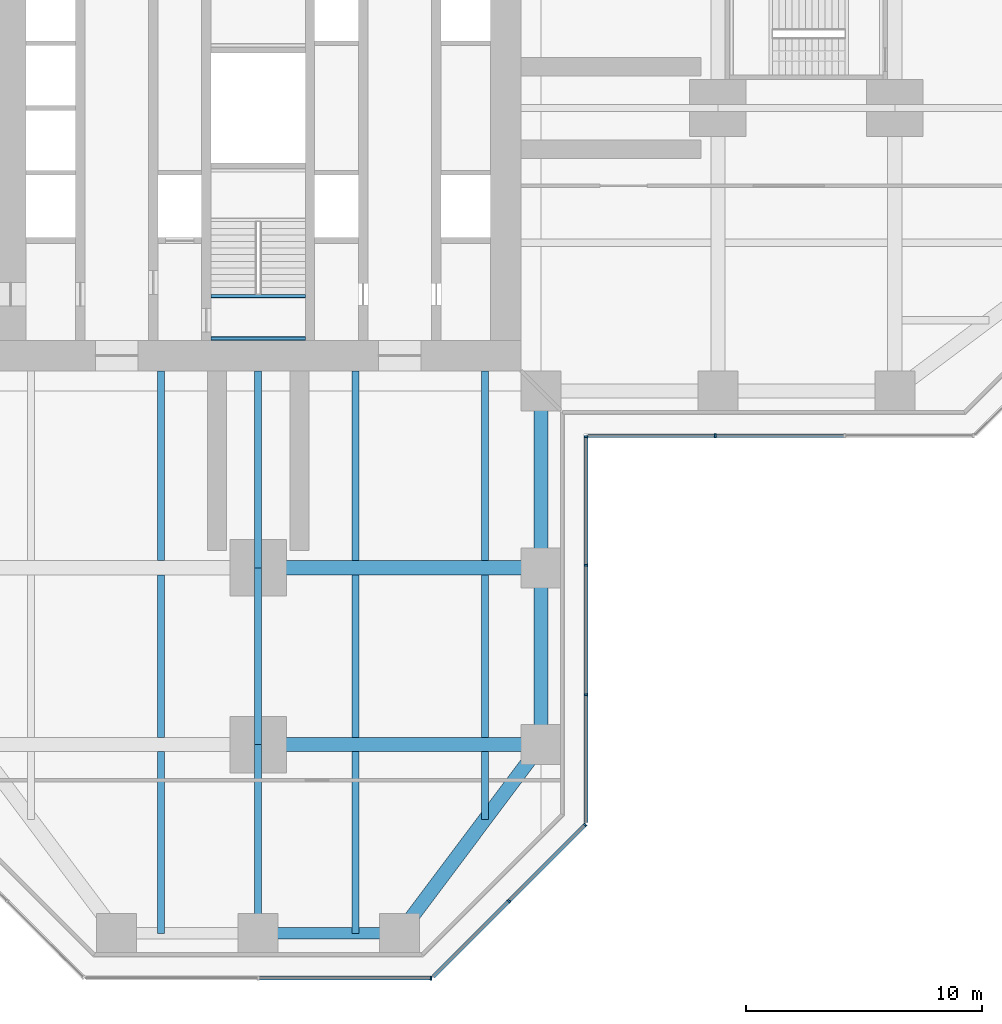
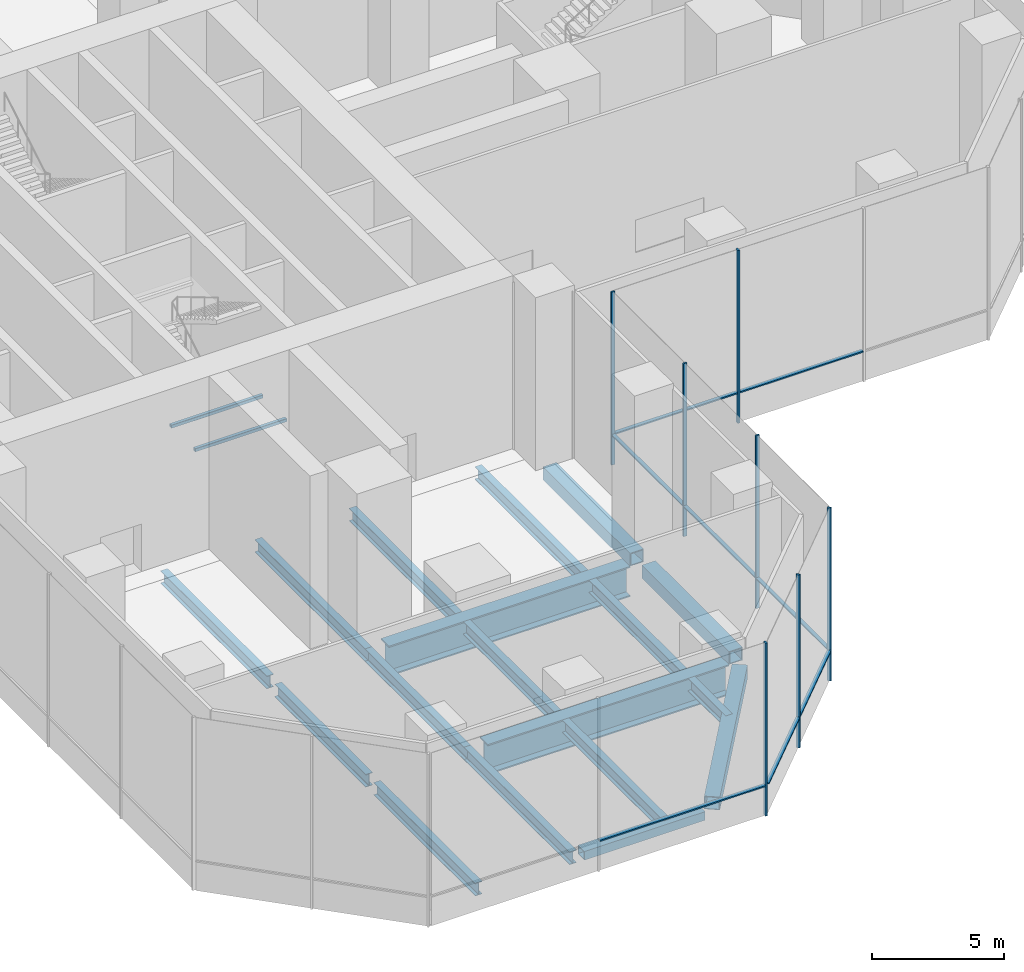
# One storey, part 5 of 25: 20 beams, 15 members, 4 elements without a shape of their own.
"""IFC4 building model written with IfcOpenShell, lengths in metres."""

from ifc_helpers import new_model, si_unit, direction, frame, origin, origin_2d, place, context, subcontext, project, spatial, rectangle, hollow_rectangle, i_section, extrude, material, material_profile, profile_set, type_object, element, aggregate, save


model = new_model("IFC4")

# Units and contexts
model_context = context("Model", 3, precision=1e-05, world=origin(), true_north=direction((0.0, 1.0)))
body_context = subcontext(model_context, "Body", "Model", "MODEL_VIEW")
ifc_project = project(units=[si_unit("LENGTHUNIT", "METRE"), si_unit("AREAUNIT", "SQUARE_METRE"), si_unit("VOLUMEUNIT", "CUBIC_METRE"), si_unit("PLANEANGLEUNIT", "RADIAN"), si_unit("MASSUNIT", "GRAM", prefix="KILO")], contexts=[model_context])

# Site, building, storey
site_placement = place(None, origin())
site = spatial("IfcSite", under=ifc_project, at=site_placement, CompositionType="ELEMENT")
building_placement = place(site_placement, origin())
building = spatial("IfcBuilding", under=site, at=building_placement, Name="Mizan Broadcast Tower", CompositionType="ELEMENT")
storey_placement = place(building_placement, frame((0.0, 0.0, 15.0)))
storey = spatial("IfcBuildingStorey", under=building, at=storey_placement, Name="L02", CompositionType="ELEMENT", Elevation=15.0)

# Beams
ifc_material_1 = material(Name="Steel S355", Category="steel")
ifc_material_profile_1 = material_profile(ifc_material_1, hollow_rectangle(XDim=0.5, YDim=0.39990234375, WallThickness=0.02490234375, at=origin_2d()), Name="BOX 400x500x25")
ifc_profile_set_1 = profile_set([ifc_material_profile_1], Name="Steel S355")
beam_type_1 = type_object("IfcBeamType", Name="EDGE BEAM BOX 400x500x25", PredefinedType="SPANDREL", material=ifc_profile_set_1)
beam_1_placement = place(storey_placement, frame((5.639892578125, -35.0, -0.449951171875), z_axis=(-1.0, 0.0, 0.0), x_axis=(0.0, -1.0, 0.0)))
element("IfcBeam", 1, at=beam_1_placement, inside=storey, type_object=beam_type_1, Name="Edge beam BOX 400x500x25 L02 south arm", PredefinedType="SPANDREL", context=body_context, shape_type="SweptSolid", body=[
    extrude(hollow_rectangle(XDim=0.5, YDim=0.39990234375, WallThickness=0.02490234375, at=origin_2d()), origin(), (0.0, 0.0, 1.0), 5.27978515625),
])
ifc_material_2 = material(Name="Steel S355", Category="steel")
ifc_material_profile_2 = material_profile(ifc_material_2, hollow_rectangle(XDim=0.60009765625, YDim=0.60009765625, WallThickness=0.030029296875, at=origin_2d()), Name="BOX 600x600x30")
ifc_profile_set_2 = profile_set([ifc_material_profile_2], Name="Steel S355")
beam_type_2 = type_object("IfcBeamType", Name="EDGE BEAM BOX 600x600x30", PredefinedType="SPANDREL", material=ifc_profile_set_2)
beam_2_placement = place(storey_placement, frame((11.639892578125, -27.47998046875, -0.550048828125), z_axis=(-0.599982243973, -0.800013316712, 0.0), x_axis=(0.800013316712, -0.599982243973, 0.0)))
element("IfcBeam", 2, at=beam_2_placement, inside=storey, type_object=beam_type_2, Name="Edge beam BOX 600x600x30 L02 south arm", PredefinedType="SPANDREL", context=body_context, shape_type="SweptSolid", body=[
    extrude(hollow_rectangle(XDim=0.60009765625, YDim=0.60009765625, WallThickness=0.030029296875, at=origin_2d()), origin(), (0.0, 0.0, 1.0), 8.7998046875),
])
ifc_material_3 = material(Name="Steel S355", Category="steel")
ifc_material_profile_3 = material_profile(ifc_material_3, hollow_rectangle(XDim=0.60009765625, YDim=0.60009765625, WallThickness=0.0400390625, at=origin_2d()), Name="BOX 600x600x40")
ifc_profile_set_3 = profile_set([ifc_material_profile_3], Name="Steel S355")
beam_type_3 = type_object("IfcBeamType", Name="EDGE BEAM BOX 600x600x40", PredefinedType="SPANDREL", material=ifc_profile_set_3)
for number, where, z_axis, x_axis, name in (
    (3, (12.0, -12.449951171875, -0.550048828125), (0.0, -1.0, 0.0), (1.0, 0.0, 0.0), "Edge beam BOX 600x600x40 L02 south arm"),
    (4, (12.0, -19.949951171875, -0.550048828125), (0.0, -1.0, 0.0), (1.0, 0.0, 0.0), "Edge beam BOX 600x600x40 L02 south arm"),
):
    element("IfcBeam", number, at=place(storey_placement, frame(where, z_axis=z_axis, x_axis=x_axis)), inside=storey, type_object=beam_type_3, Name=name, PredefinedType="SPANDREL", context=body_context, shape_type="SweptSolid", body=[
        extrude(hollow_rectangle(XDim=0.60009765625, YDim=0.60009765625, WallThickness=0.0400390625, at=origin_2d()), origin(), (0.0, 0.0, 1.0), 6.60009765625),
    ])
ifc_material_4 = material(Name="Steel S460", Category="steel")
ifc_material_profile_4 = material_profile(ifc_material_4, i_section(OverallWidth=0.60009765625, OverallDepth=1.39990234375, WebThickness=0.02490234375, FlangeThickness=0.06005859375, at=origin_2d()), Name="WPG 1400x600")
ifc_profile_set_4 = profile_set([ifc_material_profile_4], Name="Steel S460")
beam_type_4 = type_object("IfcBeamType", Name="GIRDER WPG 1400x600", PredefinedType="BEAM", material=ifc_profile_set_4)
for number, where, z_axis, x_axis, name in (
    (5, (0.719970703125, -19.5, -0.949951171875), (1.0, 0.0, 0.0), (0.0, 1.0, 0.0), "Girder WPG 1400x600 L02 south arm"),
    (6, (0.719970703125, -27.0, -0.949951171875), (1.0, 0.0, 0.0), (0.0, 1.0, 0.0), "Girder WPG 1400x600 L02 south arm"),
):
    element("IfcBeam", number, at=place(storey_placement, frame(where, z_axis=z_axis, x_axis=x_axis)), inside=storey, type_object=beam_type_4, Name=name, PredefinedType="BEAM", context=body_context, shape_type="SweptSolid", body=[
        extrude(i_section(OverallWidth=0.60009765625, OverallDepth=1.39990234375, WebThickness=0.02490234375, FlangeThickness=0.06005859375, at=origin_2d()), origin(), (0.0, 0.0, 1.0), 10.56005859375),
    ])
ifc_material_5 = material(Name="Steel S355", Category="steel")
ifc_material_profile_5 = material_profile(ifc_material_5, hollow_rectangle(XDim=0.14990234375, YDim=0.14990234375, WallThickness=0.008056640625, InnerFilletRadius=0.008056640625, OuterFilletRadius=0.011962890625, at=origin_2d()), Name="SHS 150x150x8")
ifc_profile_set_5 = profile_set([ifc_material_profile_5], Name="Steel S355")
beam_type_5 = type_object("IfcBeamType", Name="LANDING TRIMMER SHS 150x150x8", PredefinedType="BEAM", material=ifc_profile_set_5)
for number, where, z_axis, x_axis, name in (
    (7, (-2.0, -9.77490234375, 3.72509765625), (1.0, 0.0, 0.0), (0.0, 1.0, 0.0), "Stair A landing trimmer L02"),
    (8, (-2.0, -7.97509765625, 3.72509765625), (1.0, 0.0, 0.0), (0.0, 1.0, 0.0), "Stair A landing trimmer L02"),
):
    element("IfcBeam", number, at=place(storey_placement, frame(where, z_axis=z_axis, x_axis=x_axis)), inside=storey, type_object=beam_type_5, Name=name, PredefinedType="BEAM", context=body_context, shape_type="SweptSolid", body=[
        extrude(hollow_rectangle(XDim=0.14990234375, YDim=0.14990234375, WallThickness=0.008056640625, InnerFilletRadius=0.008056640625, OuterFilletRadius=0.011962890625, at=origin_2d()), origin(), (0.0, 0.0, 1.0), 4.0),
    ])

# Curtain wall, member
ifc_material_6 = material(Name="Aluminium framed glazing", Category="aluminium")
curtain_wall_type = type_object("IfcCurtainWallType", Name="OUTER SKIN", PredefinedType="USERDEFINED", material=ifc_material_6)
curtain_wall_1_placement = place(storey_placement, origin())
curtain_wall_1 = element("IfcCurtainWall", 9, at=curtain_wall_1_placement, inside=storey, type_object=curtain_wall_type, Name="Outer skin L02 E side", ObjectType="OUTER SKIN", PredefinedType="USERDEFINED")
ifc_material_7 = material(Name="Aluminium, pale anodised", Category="aluminium")
ifc_material_profile_6 = material_profile(ifc_material_7, rectangle(XDim=0.159912109375, YDim=0.080078125, at=origin_2d()), Name="MULLION 160x80")
ifc_profile_set_6 = profile_set([ifc_material_profile_6], Name="Aluminium, pale anodised")
member_type_1 = type_object("IfcMemberType", Name="OUTER SKIN MULLION 80x160", PredefinedType="MULLION", material=ifc_profile_set_6)
member_1_placement = place(storey_placement, frame((19.390869140625, -13.89990234375, 0.0), z_axis=(0.0, 0.0, 1.0), x_axis=(0.0, 1.0, 0.0)))
member_1 = element("IfcMember", 10, at=member_1_placement, type_object=member_type_1, Name="Outer skin L02 E side mullion 2", PredefinedType="MULLION", context=body_context, shape_type="SweptSolid", body=[
    extrude(rectangle(XDim=0.159912109375, YDim=0.080078125, at=origin_2d()), origin(), (0.0, 0.0, 1.0), 8.0),
])

curtain_wall_2_placement = place(storey_placement, origin())
curtain_wall_2 = element("IfcCurtainWall", 11, at=curtain_wall_2_placement, inside=storey, type_object=curtain_wall_type, Name="Outer skin L02 S end", ObjectType="OUTER SKIN", PredefinedType="USERDEFINED")
member_2_placement = place(storey_placement, frame((7.332763671875, -36.89990234375, 0.0), z_axis=(0.0, 0.0, 1.0), x_axis=(0.0, 1.0, 0.0)))
member_2 = element("IfcMember", 12, at=member_2_placement, type_object=member_type_1, Name="Outer skin L02 S end mullion 3", PredefinedType="MULLION", context=body_context, shape_type="SweptSolid", body=[
    extrude(rectangle(XDim=0.159912109375, YDim=0.080078125, at=origin_2d()), origin(), (0.0, 0.0, 1.0), 8.0),
])

# Curtain wall, members
curtain_wall_3_placement = place(storey_placement, origin())
curtain_wall_3 = element("IfcCurtainWall", 13, at=curtain_wall_3_placement, inside=storey, type_object=curtain_wall_type, Name="Outer skin L02 S chamfer", ObjectType="OUTER SKIN", PredefinedType="USERDEFINED")
member_3_placement = place(storey_placement, frame((10.636474609375, -33.636474609375, 0.0), z_axis=(0.0, 0.0, 1.0), x_axis=(-0.707106781187, 0.707106781187, 0.0)))
member_3 = element("IfcMember", 14, at=member_3_placement, type_object=member_type_1, Name="Outer skin L02 S chamfer mullion 2", PredefinedType="MULLION", context=body_context, shape_type="SweptSolid", body=[
    extrude(rectangle(XDim=0.159912109375, YDim=0.080078125, at=origin_2d()), origin(), (0.0, 0.0, 1.0), 8.0),
])
member_4_placement = place(storey_placement, frame((13.871826171875, -30.401123046875, 0.0), z_axis=(0.0, 0.0, 1.0), x_axis=(-0.707106781187, 0.707106781187, 0.0)))
member_4 = element("IfcMember", 15, at=member_4_placement, type_object=member_type_1, Name="Outer skin L02 S chamfer mullion 3", PredefinedType="MULLION", context=body_context, shape_type="SweptSolid", body=[
    extrude(rectangle(XDim=0.159912109375, YDim=0.080078125, at=origin_2d()), origin(), (0.0, 0.0, 1.0), 8.0),
])

curtain_wall_4_placement = place(storey_placement, origin())
curtain_wall_4 = element("IfcCurtainWall", 16, at=curtain_wall_4_placement, inside=storey, type_object=curtain_wall_type, Name="Outer skin L02 S side", ObjectType="OUTER SKIN", PredefinedType="USERDEFINED")
member_5_placement = place(storey_placement, frame((13.89990234375, -24.8818359375, 0.0), z_axis=(0.0, 0.0, 1.0), x_axis=(-1.0, 0.0, 0.0)))
member_5 = element("IfcMember", 17, at=member_5_placement, type_object=member_type_1, Name="Outer skin L02 S side mullion 2", PredefinedType="MULLION", context=body_context, shape_type="SweptSolid", body=[
    extrude(rectangle(XDim=0.159912109375, YDim=0.080078125, at=origin_2d()), origin(), (0.0, 0.0, 1.0), 8.0),
])
member_6_placement = place(storey_placement, frame((13.89990234375, -19.390869140625, 0.0), z_axis=(0.0, 0.0, 1.0), x_axis=(-1.0, 0.0, 0.0)))
member_6 = element("IfcMember", 18, at=member_6_placement, type_object=member_type_1, Name="Outer skin L02 S side mullion 3", PredefinedType="MULLION", context=body_context, shape_type="SweptSolid", body=[
    extrude(rectangle(XDim=0.159912109375, YDim=0.080078125, at=origin_2d()), origin(), (0.0, 0.0, 1.0), 8.0),
])
member_7_placement = place(storey_placement, frame((13.89990234375, -13.93994140625, 0.0), z_axis=(0.0, 0.0, 1.0), x_axis=(-1.0, 0.0, 0.0)))
member_7 = element("IfcMember", 19, at=member_7_placement, type_object=member_type_1, Name="Outer skin L02 S side mullion 4", PredefinedType="MULLION", context=body_context, shape_type="SweptSolid", body=[
    extrude(rectangle(XDim=0.159912109375, YDim=0.080078125, at=origin_2d()), origin(), (0.0, 0.0, 1.0), 8.0),
])

# Member
ifc_material_8 = material(Name="Aluminium, pale anodised", Category="aluminium")
ifc_material_profile_7 = material_profile(ifc_material_8, rectangle(XDim=0.159912109375, YDim=0.06005859375, at=origin_2d()), Name="TRANSOM 160x60")
ifc_profile_set_7 = profile_set([ifc_material_profile_7], Name="Aluminium, pale anodised")
member_type_2 = type_object("IfcMemberType", Name="OUTER SKIN TRANSOM 60x160", PredefinedType="USERDEFINED", material=ifc_profile_set_7)
member_8_placement = place(storey_placement, frame((13.97998046875, -13.89990234375, 1.39990234375), z_axis=(1.0, 0.0, 0.0), x_axis=(0.0, 1.0, 0.0)))
member_8 = element("IfcMember", 20, at=member_8_placement, type_object=member_type_2, Name="Outer skin L02 E side transom 1.1", ObjectType="TRANSOM", PredefinedType="USERDEFINED", context=body_context, shape_type="SweptSolid", body=[
    extrude(rectangle(XDim=0.159912109375, YDim=0.06005859375, at=origin_2d()), origin(), (0.0, 0.0, 1.0), 5.370849609375),
])

member_9_placement = place(storey_placement, frame((19.430908203125, -13.89990234375, 1.39990234375), z_axis=(1.0, 0.0, 0.0), x_axis=(0.0, 1.0, 0.0)))
member_9 = element("IfcMember", 21, at=member_9_placement, type_object=member_type_2, Name="Outer skin L02 E side transom 2.1", ObjectType="TRANSOM", PredefinedType="USERDEFINED", context=body_context, shape_type="SweptSolid", body=[
    extrude(rectangle(XDim=0.159912109375, YDim=0.06005859375, at=origin_2d()), origin(), (0.0, 0.0, 1.0), 5.410888671875),
])

aggregate(curtain_wall_1, [member_1, member_8, member_9])

member_10_placement = place(storey_placement, frame((0.0400390625, -36.89990234375, 1.39990234375), z_axis=(1.0, 0.0, 0.0), x_axis=(0.0, 1.0, 0.0)))
member_10 = element("IfcMember", 22, at=member_10_placement, type_object=member_type_2, Name="Outer skin L02 S end transom 2.1", ObjectType="TRANSOM", PredefinedType="USERDEFINED", context=body_context, shape_type="SweptSolid", body=[
    extrude(rectangle(XDim=0.159912109375, YDim=0.06005859375, at=origin_2d()), origin(), (0.0, 0.0, 1.0), 7.252685546875),
])

aggregate(curtain_wall_2, [member_2, member_10])

member_11_placement = place(storey_placement, frame((7.429443359375, -36.843505859375, 1.39990234375), z_axis=(0.707106781187, 0.707106781187, 0.0), x_axis=(-0.707106781187, 0.707106781187, 0.0)))
member_11 = element("IfcMember", 23, at=member_11_placement, type_object=member_type_2, Name="Outer skin L02 S chamfer transom 1.1", ObjectType="TRANSOM", PredefinedType="USERDEFINED", context=body_context, shape_type="SweptSolid", body=[
    extrude(rectangle(XDim=0.159912109375, YDim=0.06005859375, at=origin_2d()), origin(), (0.0, 0.0, 1.0), 4.495361328125),
])

member_12_placement = place(storey_placement, frame((10.664794921875, -33.608154296875, 1.39990234375), z_axis=(0.707106781187, 0.707106781187, 0.0), x_axis=(-0.707106781187, 0.707106781187, 0.0)))
member_12 = element("IfcMember", 24, at=member_12_placement, type_object=member_type_2, Name="Outer skin L02 S chamfer transom 2.1", ObjectType="TRANSOM", PredefinedType="USERDEFINED", context=body_context, shape_type="SweptSolid", body=[
    extrude(rectangle(XDim=0.159912109375, YDim=0.06005859375, at=origin_2d()), origin(), (0.0, 0.0, 1.0), 4.495361328125),
])

aggregate(curtain_wall_3, [member_3, member_4, member_11, member_12])

member_13_placement = place(storey_placement, frame((13.89990234375, -30.292724609375, 1.39990234375), z_axis=(0.0, 1.0, 0.0), x_axis=(-1.0, 0.0, 0.0)))
member_13 = element("IfcMember", 25, at=member_13_placement, type_object=member_type_2, Name="Outer skin L02 S side transom 1.1", ObjectType="TRANSOM", PredefinedType="USERDEFINED", context=body_context, shape_type="SweptSolid", body=[
    extrude(rectangle(XDim=0.159912109375, YDim=0.06005859375, at=origin_2d()), origin(), (0.0, 0.0, 1.0), 5.370849609375),
])

member_14_placement = place(storey_placement, frame((13.89990234375, -24.841796875, 1.39990234375), z_axis=(0.0, 1.0, 0.0), x_axis=(-1.0, 0.0, 0.0)))
member_14 = element("IfcMember", 26, at=member_14_placement, type_object=member_type_2, Name="Outer skin L02 S side transom 2.1", ObjectType="TRANSOM", PredefinedType="USERDEFINED", context=body_context, shape_type="SweptSolid", body=[
    extrude(rectangle(XDim=0.159912109375, YDim=0.06005859375, at=origin_2d()), origin(), (0.0, 0.0, 1.0), 5.410888671875),
])

member_15_placement = place(storey_placement, frame((13.89990234375, -19.350830078125, 1.39990234375), z_axis=(0.0, 1.0, 0.0), x_axis=(-1.0, 0.0, 0.0)))
member_15 = element("IfcMember", 27, at=member_15_placement, type_object=member_type_2, Name="Outer skin L02 S side transom 3.1", ObjectType="TRANSOM", PredefinedType="USERDEFINED", context=body_context, shape_type="SweptSolid", body=[
    extrude(rectangle(XDim=0.159912109375, YDim=0.06005859375, at=origin_2d()), origin(), (0.0, 0.0, 1.0), 5.370849609375),
])

aggregate(curtain_wall_4, [member_5, member_6, member_7, member_13, member_14, member_15])

# Beams
ifc_material_9 = material(Name="Steel S355", Category="steel")
ifc_material_profile_8 = material_profile(ifc_material_9, i_section(OverallWidth=0.300048828125, OverallDepth=0.590087890625, WebThickness=0.012939453125, FlangeThickness=0.02490234375, FilletRadius=0.027099609375, at=origin_2d()), Name="HEA 600")
ifc_profile_set_8 = profile_set([ifc_material_profile_8], Name="Steel S355")
beam_type_6 = type_object("IfcBeamType", Name="SECONDARY BEAM HEA 600", PredefinedType="JOIST", material=ifc_profile_set_8)
beam_3_placement = place(storey_placement, frame((-4.125, -11.14990234375, -0.544921875), z_axis=(0.0, -1.0, 0.0), x_axis=(1.0, 0.0, 0.0)))
element("IfcBeam", 28, at=beam_3_placement, inside=storey, type_object=beam_type_6, Name="Secondary beam HEA 600 L02 south arm", PredefinedType="JOIST", context=body_context, shape_type="SweptSolid", body=[
    extrude(i_section(OverallWidth=0.300048828125, OverallDepth=0.590087890625, WebThickness=0.012939453125, FlangeThickness=0.02490234375, FilletRadius=0.027099609375, at=origin_2d()), origin(), (0.0, 0.0, 1.0), 8.050048828125),
])
beam_4_placement = place(storey_placement, frame((-4.125, -19.800048828125, -0.544921875), z_axis=(0.0, -1.0, 0.0), x_axis=(1.0, 0.0, 0.0)))
element("IfcBeam", 29, at=beam_4_placement, inside=storey, type_object=beam_type_6, Name="Secondary beam HEA 600 L02 south arm", PredefinedType="JOIST", context=body_context, shape_type="SweptSolid", body=[
    extrude(i_section(OverallWidth=0.300048828125, OverallDepth=0.590087890625, WebThickness=0.012939453125, FlangeThickness=0.02490234375, FilletRadius=0.027099609375, at=origin_2d()), origin(), (0.0, 0.0, 1.0), 6.89990234375),
])
beam_5_placement = place(storey_placement, frame((-4.125, -27.300048828125, -0.544921875), z_axis=(0.0, -1.0, 0.0), x_axis=(1.0, 0.0, 0.0)))
element("IfcBeam", 30, at=beam_5_placement, inside=storey, type_object=beam_type_6, Name="Secondary beam HEA 600 L02 south arm", PredefinedType="JOIST", context=body_context, shape_type="SweptSolid", body=[
    extrude(i_section(OverallWidth=0.300048828125, OverallDepth=0.590087890625, WebThickness=0.012939453125, FlangeThickness=0.02490234375, FilletRadius=0.027099609375, at=origin_2d()), origin(), (0.0, 0.0, 1.0), 7.699951171875),
])
beam_6_placement = place(storey_placement, frame((0.0, -11.14990234375, -0.544921875), z_axis=(0.0, -1.0, 0.0), x_axis=(1.0, 0.0, 0.0)))
element("IfcBeam", 31, at=beam_6_placement, inside=storey, type_object=beam_type_6, Name="Secondary beam HEA 600 L02 south arm", PredefinedType="JOIST", context=body_context, shape_type="SweptSolid", body=[
    extrude(i_section(OverallWidth=0.300048828125, OverallDepth=0.590087890625, WebThickness=0.012939453125, FlangeThickness=0.02490234375, FilletRadius=0.027099609375, at=origin_2d()), origin(), (0.0, 0.0, 1.0), 8.35009765625),
])
beam_7_placement = place(storey_placement, frame((0.0, -19.5, -0.544921875), z_axis=(0.0, -1.0, 0.0), x_axis=(1.0, 0.0, 0.0)))
element("IfcBeam", 32, at=beam_7_placement, inside=storey, type_object=beam_type_6, Name="Secondary beam HEA 600 L02 south arm", PredefinedType="JOIST", context=body_context, shape_type="SweptSolid", body=[
    extrude(i_section(OverallWidth=0.300048828125, OverallDepth=0.590087890625, WebThickness=0.012939453125, FlangeThickness=0.02490234375, FilletRadius=0.027099609375, at=origin_2d()), origin(), (0.0, 0.0, 1.0), 7.5),
])
beam_8_placement = place(storey_placement, frame((0.0, -27.0, -0.544921875), z_axis=(0.0, -1.0, 0.0), x_axis=(1.0, 0.0, 0.0)))
element("IfcBeam", 33, at=beam_8_placement, inside=storey, type_object=beam_type_6, Name="Secondary beam HEA 600 L02 south arm", PredefinedType="JOIST", context=body_context, shape_type="SweptSolid", body=[
    extrude(i_section(OverallWidth=0.300048828125, OverallDepth=0.590087890625, WebThickness=0.012939453125, FlangeThickness=0.02490234375, FilletRadius=0.027099609375, at=origin_2d()), origin(), (0.0, 0.0, 1.0), 8.0),
])
beam_9_placement = place(storey_placement, frame((4.125, -11.14990234375, -0.544921875), z_axis=(0.0, -1.0, 0.0), x_axis=(1.0, 0.0, 0.0)))
element("IfcBeam", 34, at=beam_9_placement, inside=storey, type_object=beam_type_6, Name="Secondary beam HEA 600 L02 south arm", PredefinedType="JOIST", context=body_context, shape_type="SweptSolid", body=[
    extrude(i_section(OverallWidth=0.300048828125, OverallDepth=0.590087890625, WebThickness=0.012939453125, FlangeThickness=0.02490234375, FilletRadius=0.027099609375, at=origin_2d()), origin(), (0.0, 0.0, 1.0), 8.050048828125),
])
beam_10_placement = place(storey_placement, frame((4.125, -19.800048828125, -0.544921875), z_axis=(0.0, -1.0, 0.0), x_axis=(1.0, 0.0, 0.0)))
element("IfcBeam", 35, at=beam_10_placement, inside=storey, type_object=beam_type_6, Name="Secondary beam HEA 600 L02 south arm", PredefinedType="JOIST", context=body_context, shape_type="SweptSolid", body=[
    extrude(i_section(OverallWidth=0.300048828125, OverallDepth=0.590087890625, WebThickness=0.012939453125, FlangeThickness=0.02490234375, FilletRadius=0.027099609375, at=origin_2d()), origin(), (0.0, 0.0, 1.0), 6.89990234375),
])
beam_11_placement = place(storey_placement, frame((4.125, -27.300048828125, -0.544921875), z_axis=(0.0, -1.0, 0.0), x_axis=(1.0, 0.0, 0.0)))
element("IfcBeam", 36, at=beam_11_placement, inside=storey, type_object=beam_type_6, Name="Secondary beam HEA 600 L02 south arm", PredefinedType="JOIST", context=body_context, shape_type="SweptSolid", body=[
    extrude(i_section(OverallWidth=0.300048828125, OverallDepth=0.590087890625, WebThickness=0.012939453125, FlangeThickness=0.02490234375, FilletRadius=0.027099609375, at=origin_2d()), origin(), (0.0, 0.0, 1.0), 7.699951171875),
])
beam_12_placement = place(storey_placement, frame((9.625, -11.14990234375, -0.544921875), z_axis=(0.0, -1.0, 0.0), x_axis=(1.0, 0.0, 0.0)))
element("IfcBeam", 37, at=beam_12_placement, inside=storey, type_object=beam_type_6, Name="Secondary beam HEA 600 L02 south arm", PredefinedType="JOIST", context=body_context, shape_type="SweptSolid", body=[
    extrude(i_section(OverallWidth=0.300048828125, OverallDepth=0.590087890625, WebThickness=0.012939453125, FlangeThickness=0.02490234375, FilletRadius=0.027099609375, at=origin_2d()), origin(), (0.0, 0.0, 1.0), 8.050048828125),
])
beam_13_placement = place(storey_placement, frame((9.625, -19.800048828125, -0.544921875), z_axis=(0.0, -1.0, 0.0), x_axis=(1.0, 0.0, 0.0)))
element("IfcBeam", 38, at=beam_13_placement, inside=storey, type_object=beam_type_6, Name="Secondary beam HEA 600 L02 south arm", PredefinedType="JOIST", context=body_context, shape_type="SweptSolid", body=[
    extrude(i_section(OverallWidth=0.300048828125, OverallDepth=0.590087890625, WebThickness=0.012939453125, FlangeThickness=0.02490234375, FilletRadius=0.027099609375, at=origin_2d()), origin(), (0.0, 0.0, 1.0), 6.89990234375),
])
beam_14_placement = place(storey_placement, frame((9.625, -27.300048828125, -0.544921875), z_axis=(0.0, -1.0, 0.0), x_axis=(1.0, 0.0, 0.0)))
element("IfcBeam", 39, at=beam_14_placement, inside=storey, type_object=beam_type_6, Name="Secondary beam HEA 600 L02 south arm", PredefinedType="JOIST", context=body_context, shape_type="SweptSolid", body=[
    extrude(i_section(OverallWidth=0.300048828125, OverallDepth=0.590087890625, WebThickness=0.012939453125, FlangeThickness=0.02490234375, FilletRadius=0.027099609375, at=origin_2d()), origin(), (0.0, 0.0, 1.0), 2.86669921875),
])

save(model, "model.ifc")
